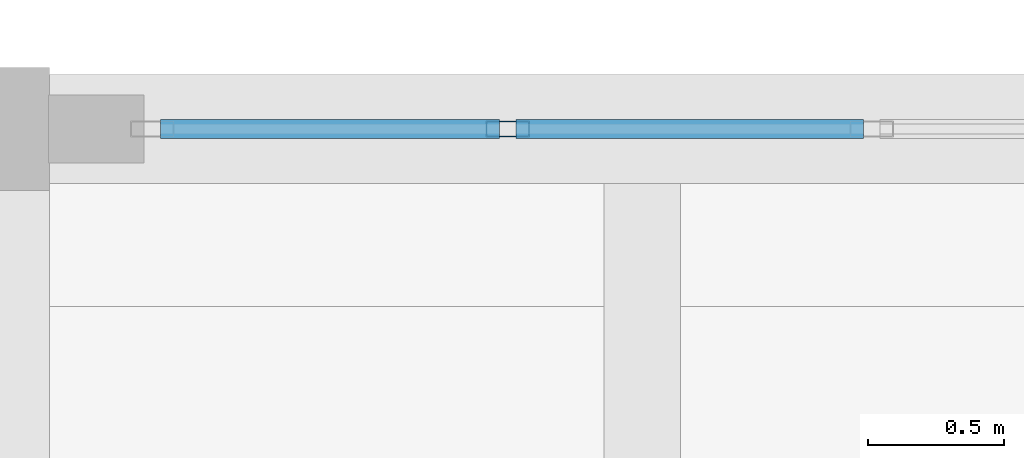
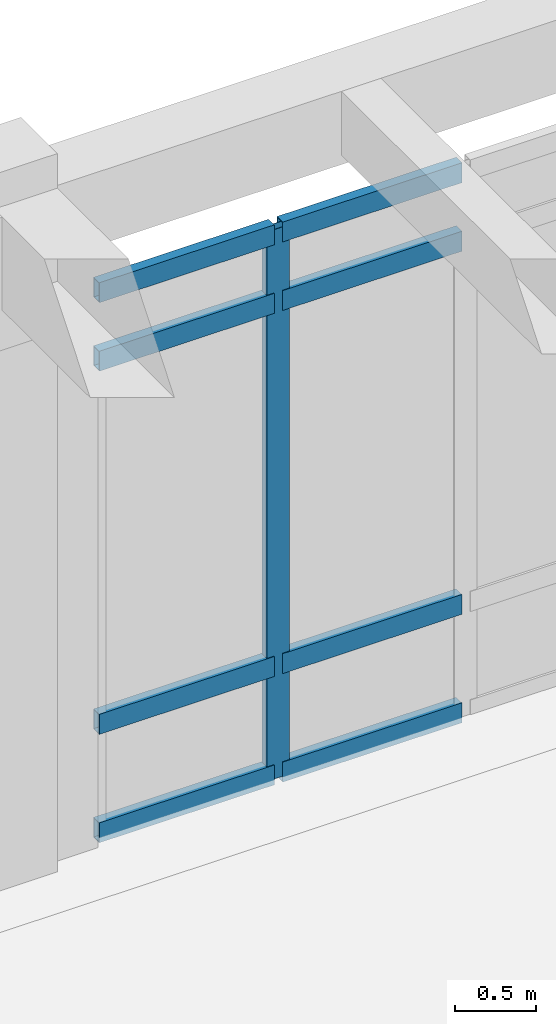
# One storey, part 64 of 138: 9 members, 1 element without a shape of its own.
"""IFC4 building model written with IfcOpenShell, lengths in metres."""

from ifc_helpers import new_model, si_unit, direction, frame, origin, origin_2d, place, context, subcontext, project, spatial, hollow_rectangle, extrude, material, layer, layer_set, material_profile, profile_set, type_object, element, aggregate, save


model = new_model("IFC4")

# Units and contexts
model_context = context("Model", 3, precision=1e-05, world=origin(), true_north=direction((0.0, 1.0)))
body_context = subcontext(model_context, "Body", "Model", "MODEL_VIEW")
ifc_project = project(units=[si_unit("LENGTHUNIT", "METRE"), si_unit("AREAUNIT", "SQUARE_METRE"), si_unit("VOLUMEUNIT", "CUBIC_METRE"), si_unit("PLANEANGLEUNIT", "RADIAN"), si_unit("MASSUNIT", "GRAM", prefix="KILO")], contexts=[model_context])

# Site, building, storey
site_placement = place(None, origin())
site = spatial("IfcSite", under=ifc_project, at=site_placement, CompositionType="ELEMENT")
building_placement = place(site_placement, origin())
building = spatial("IfcBuilding", under=site, at=building_placement, Name="Fikremerkos Civic Library", CompositionType="ELEMENT")
storey_placement = place(building_placement, origin())
storey = spatial("IfcBuildingStorey", under=building, at=storey_placement, Name="L00", CompositionType="ELEMENT", Elevation=0.0)

# Curtain wall, members
ifc_material = material(Name="Anodized aluminium Frame", Category="aluminium")
ifc_layer = layer(ifc_material, 0.159912109375, Name="Anodized aluminium Frame")
ifc_layer_set = layer_set([ifc_layer], Name="Anodized aluminium Frame")
curtain_wall_type = type_object("IfcCurtainWallType", Name="Unitised curtain wall CW-18 2700x3400", PredefinedType="USERDEFINED", material=ifc_layer_set)
curtain_wall_placement = place(storey_placement, origin())
curtain_wall = element("IfcCurtainWall", 1, at=curtain_wall_placement, inside=storey, type_object=curtain_wall_type, Name="Unitised curtain wall CW-18 L00 #54", ObjectType="UNITISED CURTAIN WALL", PredefinedType="USERDEFINED")
ifc_material_profile_1 = material_profile(ifc_material, hollow_rectangle(XDim=0.06005859375, YDim=0.159912109375, WallThickness=0.00390625, at=origin_2d()), Name="ALU 160x60x4")
ifc_profile_set_1 = profile_set([ifc_material_profile_1], Name="Anodized aluminium Frame")
member_type_1 = type_object("IfcMemberType", Name="Curtain mullion CWM-02 ALU 160x60x4", PredefinedType="MULLION", material=ifc_profile_set_1)
member_1_placement = place(storey_placement, frame((126.70703125, 117.60009765625, 0.0), z_axis=(0.0, 0.0, 1.0), x_axis=(0.0, 1.0, 0.0)))
member_1 = element("IfcMember", 2, at=member_1_placement, type_object=member_type_1, Name="CW-18 mullion 2", PredefinedType="MULLION", context=body_context, shape_type="SweptSolid", body=[
    extrude(hollow_rectangle(XDim=0.06005859375, YDim=0.159912109375, WallThickness=0.00390625, at=origin_2d()), origin(), (0.0, 0.0, 1.0), 4.1298828125),
])
ifc_material_profile_2 = material_profile(ifc_material, hollow_rectangle(XDim=0.070068359375, YDim=0.14990234375, WallThickness=0.00439453125, at=origin_2d()), Name="ALU 150x70x4.5")
ifc_profile_set_2 = profile_set([ifc_material_profile_2], Name="Anodized aluminium Frame")
member_type_2 = type_object("IfcMemberType", Name="Curtain transom CWT-01 ALU 150x70x4.5", PredefinedType="USERDEFINED", material=ifc_profile_set_2)
member_2_placement = place(storey_placement, frame((125.43310546875, 117.60009765625, 0.034912109375), z_axis=(1.0, 0.0, 0.0), x_axis=(0.0, 1.0, 0.0)))
member_2 = element("IfcMember", 3, at=member_2_placement, type_object=member_type_2, Name="CW-18 transom 1.1", ObjectType="TRANSOM", PredefinedType="USERDEFINED", context=body_context, shape_type="SweptSolid", body=[
    extrude(hollow_rectangle(XDim=0.070068359375, YDim=0.14990234375, WallThickness=0.00439453125, at=origin_2d()), origin(), (0.0, 0.0, 1.0), 1.243896484375),
])
member_3_placement = place(storey_placement, frame((125.43310546875, 117.60009765625, 0.85009765625), z_axis=(1.0, 0.0, 0.0), x_axis=(0.0, 1.0, 0.0)))
member_3 = element("IfcMember", 4, at=member_3_placement, type_object=member_type_2, Name="CW-18 transom 1.2", ObjectType="TRANSOM", PredefinedType="USERDEFINED", context=body_context, shape_type="SweptSolid", body=[
    extrude(hollow_rectangle(XDim=0.070068359375, YDim=0.14990234375, WallThickness=0.00439453125, at=origin_2d()), origin(), (0.0, 0.0, 1.0), 1.243896484375),
])
member_4_placement = place(storey_placement, frame((125.43310546875, 117.60009765625, 3.580078125), z_axis=(1.0, 0.0, 0.0), x_axis=(0.0, 1.0, 0.0)))
member_4 = element("IfcMember", 5, at=member_4_placement, type_object=member_type_2, Name="CW-18 transom 1.3", ObjectType="TRANSOM", PredefinedType="USERDEFINED", context=body_context, shape_type="SweptSolid", body=[
    extrude(hollow_rectangle(XDim=0.070068359375, YDim=0.14990234375, WallThickness=0.00439453125, at=origin_2d()), origin(), (0.0, 0.0, 1.0), 1.243896484375),
])
member_5_placement = place(storey_placement, frame((125.43310546875, 117.60009765625, 4.094970703125), z_axis=(1.0, 0.0, 0.0), x_axis=(0.0, 1.0, 0.0)))
member_5 = element("IfcMember", 6, at=member_5_placement, type_object=member_type_2, Name="CW-18 transom 1.4", ObjectType="TRANSOM", PredefinedType="USERDEFINED", context=body_context, shape_type="SweptSolid", body=[
    extrude(hollow_rectangle(XDim=0.070068359375, YDim=0.14990234375, WallThickness=0.00439453125, at=origin_2d()), origin(), (0.0, 0.0, 1.0), 1.243896484375),
])
member_6_placement = place(storey_placement, frame((126.737060546875, 117.60009765625, 0.034912109375), z_axis=(1.0, 0.0, 0.0), x_axis=(0.0, 1.0, 0.0)))
member_6 = element("IfcMember", 7, at=member_6_placement, type_object=member_type_2, Name="CW-18 transom 2.1", ObjectType="TRANSOM", PredefinedType="USERDEFINED", context=body_context, shape_type="SweptSolid", body=[
    extrude(hollow_rectangle(XDim=0.070068359375, YDim=0.14990234375, WallThickness=0.00439453125, at=origin_2d()), origin(), (0.0, 0.0, 1.0), 1.27392578125),
])
member_7_placement = place(storey_placement, frame((126.737060546875, 117.60009765625, 0.85009765625), z_axis=(1.0, 0.0, 0.0), x_axis=(0.0, 1.0, 0.0)))
member_7 = element("IfcMember", 8, at=member_7_placement, type_object=member_type_2, Name="CW-18 transom 2.2", ObjectType="TRANSOM", PredefinedType="USERDEFINED", context=body_context, shape_type="SweptSolid", body=[
    extrude(hollow_rectangle(XDim=0.070068359375, YDim=0.14990234375, WallThickness=0.00439453125, at=origin_2d()), origin(), (0.0, 0.0, 1.0), 1.27392578125),
])
member_8_placement = place(storey_placement, frame((126.737060546875, 117.60009765625, 3.580078125), z_axis=(1.0, 0.0, 0.0), x_axis=(0.0, 1.0, 0.0)))
member_8 = element("IfcMember", 9, at=member_8_placement, type_object=member_type_2, Name="CW-18 transom 2.3", ObjectType="TRANSOM", PredefinedType="USERDEFINED", context=body_context, shape_type="SweptSolid", body=[
    extrude(hollow_rectangle(XDim=0.070068359375, YDim=0.14990234375, WallThickness=0.00439453125, at=origin_2d()), origin(), (0.0, 0.0, 1.0), 1.27392578125),
])
member_9_placement = place(storey_placement, frame((126.737060546875, 117.60009765625, 4.094970703125), z_axis=(1.0, 0.0, 0.0), x_axis=(0.0, 1.0, 0.0)))
member_9 = element("IfcMember", 10, at=member_9_placement, type_object=member_type_2, Name="CW-18 transom 2.4", ObjectType="TRANSOM", PredefinedType="USERDEFINED", context=body_context, shape_type="SweptSolid", body=[
    extrude(hollow_rectangle(XDim=0.070068359375, YDim=0.14990234375, WallThickness=0.00439453125, at=origin_2d()), origin(), (0.0, 0.0, 1.0), 1.27392578125),
])
aggregate(curtain_wall, [member_1, member_2, member_3, member_4, member_5, member_6, member_7, member_8, member_9])

save(model, "model.ifc")
